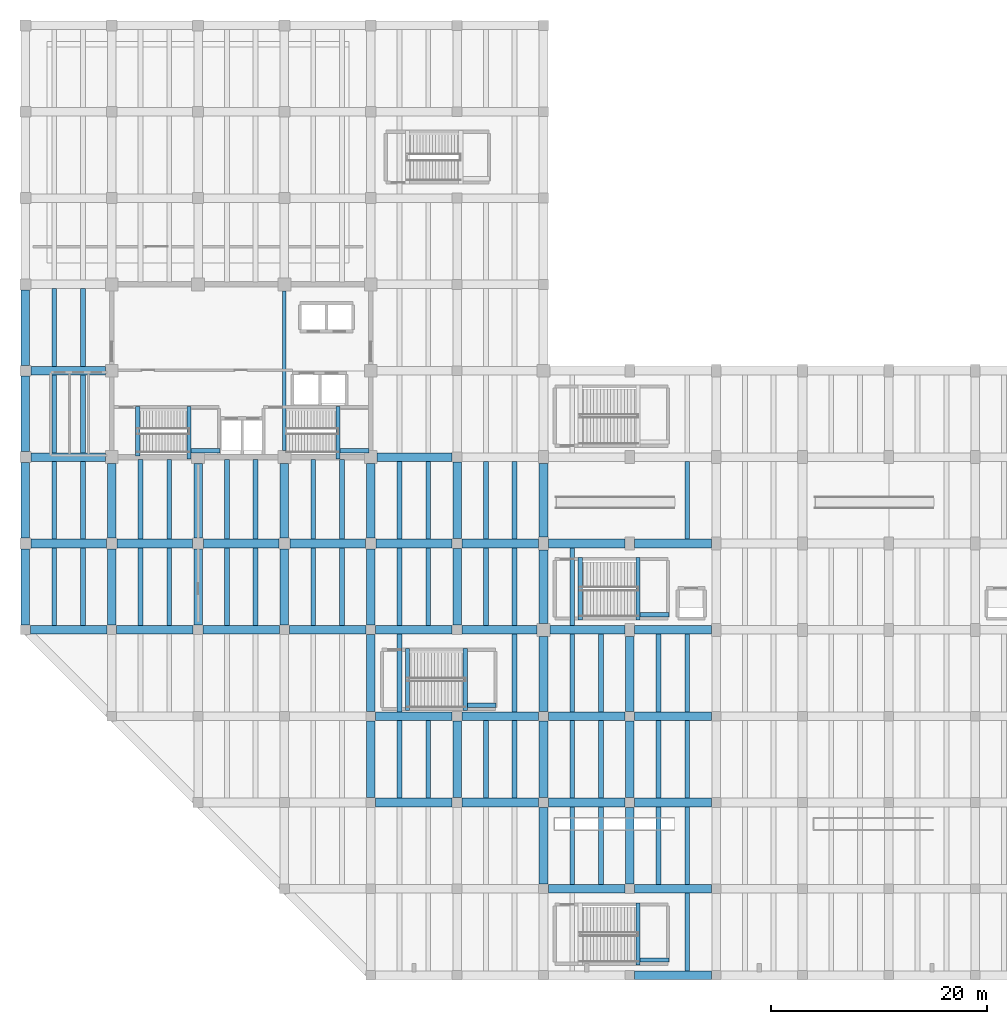
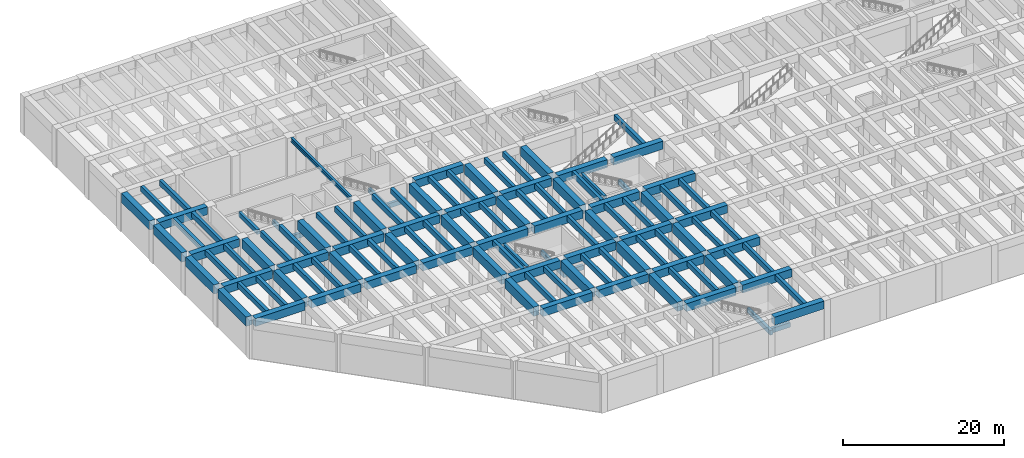
# One storey, part 2 of 24: 118 beams.
"""IFC4 building model written with IfcOpenShell, lengths in metres."""

from ifc_helpers import new_model, si_unit, direction, frame, origin, origin_2d, place, context, subcontext, project, spatial, rectangle, i_section, extrude, material, material_profile, profile_set, type_object, element, save


model = new_model("IFC4")

# Units and contexts
model_context = context("Model", 3, precision=1e-05, world=origin(), true_north=direction((0.0, 1.0)))
body_context = subcontext(model_context, "Body", "Model", "MODEL_VIEW")
ifc_project = project(units=[si_unit("LENGTHUNIT", "METRE"), si_unit("AREAUNIT", "SQUARE_METRE"), si_unit("VOLUMEUNIT", "CUBIC_METRE"), si_unit("PLANEANGLEUNIT", "RADIAN"), si_unit("MASSUNIT", "GRAM", prefix="KILO")], contexts=[model_context])

# Site, building, storey
site_placement = place(None, origin())
site = spatial("IfcSite", under=ifc_project, at=site_placement, CompositionType="ELEMENT")
building_placement = place(site_placement, origin())
building = spatial("IfcBuilding", under=site, at=building_placement, Name="Varnela Railside Interchange", CompositionType="ELEMENT")
storey_placement = place(building_placement, frame((0.0, 0.0, -6.300048828125)))
storey = spatial("IfcBuildingStorey", under=building, at=storey_placement, Name="B1", CompositionType="ELEMENT", Elevation=-6.300048828125)

# Beams
ifc_material_1 = material(Name="Concrete C50", Category="concrete")
ifc_material_profile_1 = material_profile(ifc_material_1, rectangle(XDim=0.800048828125, YDim=1.199951171875, at=origin_2d()), Name="RC 800x1200")
ifc_profile_set_1 = profile_set([ifc_material_profile_1], Name="Concrete C50")
beam_type_1 = type_object("IfcBeamType", Name="Bus Deck Heavy Girder B-09", PredefinedType="BEAM", material=ifc_profile_set_1)
for number, where, z_axis, x_axis, name in (
    (1, (60.449951171875, 6.0, 5.25), (1.0, 0.0, 0.0), (0.0, 1.0, 0.0), "Bus Deck Heavy Girder B-09 (B1) (BM-0666)"),
    (2, (52.449951171875, 14.0, 5.25), (1.0, 0.0, 0.0), (0.0, 1.0, 0.0), "Bus Deck Heavy Girder B-09 (B1) (BM-0679)"),
    (3, (60.449951171875, 14.0, 5.25), (1.0, 0.0, 0.0), (0.0, 1.0, 0.0), "Bus Deck Heavy Girder B-09 (B1) (BM-0680)"),
    (4, (36.449951171875, 22.0, 5.25), (1.0, 0.0, 0.0), (0.0, 1.0, 0.0), "Bus Deck Heavy Girder B-09 (B1) (BM-0693)"),
    (5, (44.449951171875, 22.0, 5.25), (1.0, 0.0, 0.0), (0.0, 1.0, 0.0), "Bus Deck Heavy Girder B-09 (B1) (BM-0694)"),
    (6, (52.449951171875, 22.0, 5.25), (1.0, 0.0, 0.0), (0.0, 1.0, 0.0), "Bus Deck Heavy Girder B-09 (B1) (BM-0695)"),
    (7, (60.449951171875, 22.0, 5.25), (1.0, 0.0, 0.0), (0.0, 1.0, 0.0), "Bus Deck Heavy Girder B-09 (B1) (BM-0696)"),
    (8, (36.449951171875, 30.0, 5.25), (1.0, 0.0, 0.0), (0.0, 1.0, 0.0), "Bus Deck Heavy Girder B-09 (B1) (BM-0711)"),
    (9, (44.449951171875, 30.0, 5.25), (1.0, 0.0, 0.0), (0.0, 1.0, 0.0), "Bus Deck Heavy Girder B-09 (B1) (BM-0712)"),
    (10, (52.449951171875, 30.0, 5.25), (1.0, 0.0, 0.0), (0.0, 1.0, 0.0), "Bus Deck Heavy Girder B-09 (B1) (BM-0713)"),
    (11, (60.449951171875, 30.0, 5.25), (1.0, 0.0, 0.0), (0.0, 1.0, 0.0), "Bus Deck Heavy Girder B-09 (B1) (BM-0714)"),
    (12, (4.449951171875, 38.0, 5.25), (1.0, 0.0, 0.0), (0.0, 1.0, 0.0), "Bus Deck Heavy Girder B-09 (B1) (BM-0732)"),
    (13, (12.449951171875, 38.0, 5.25), (1.0, 0.0, 0.0), (0.0, 1.0, 0.0), "Bus Deck Heavy Girder B-09 (B1) (BM-0723)"),
    (14, (20.449951171875, 38.0, 5.25), (1.0, 0.0, 0.0), (0.0, 1.0, 0.0), "Bus Deck Heavy Girder B-09 (B1) (BM-0728)"),
    (15, (28.449951171875, 38.0, 5.25), (1.0, 0.0, 0.0), (0.0, 1.0, 0.0), "Bus Deck Heavy Girder B-09 (B1) (BM-0729)"),
    (16, (36.449951171875, 38.0, 5.25), (1.0, 0.0, 0.0), (0.0, 1.0, 0.0), "Bus Deck Heavy Girder B-09 (B1) (BM-0730)"),
):
    element("IfcBeam", number, at=place(storey_placement, frame(where, z_axis=z_axis, x_axis=x_axis)), inside=storey, type_object=beam_type_1, Name=name, PredefinedType="BEAM", context=body_context, shape_type="SweptSolid", body=[
        extrude(rectangle(XDim=0.800048828125, YDim=1.199951171875, at=origin_2d()), origin(), (0.0, 0.0, 1.0), 7.10009765625),
    ])
for number, where, z_axis, x_axis, name in (
    (17, (44.449951171875, 38.0, 5.25), (1.0, 0.0, 0.0), (0.0, 1.0, 0.0), "Bus Deck Heavy Girder B-09 (B1) (BM-0731)"),
    (18, (52.60009765625, 38.0, 5.25), (1.0, 0.0, 0.0), (0.0, 1.0, 0.0), "Bus Deck Heavy Girder B-09 (B1) (BM-0733)"),
):
    element("IfcBeam", number, at=place(storey_placement, frame(where, z_axis=z_axis, x_axis=x_axis)), inside=storey, type_object=beam_type_1, Name=name, PredefinedType="BEAM", context=body_context, shape_type="SweptSolid", body=[
        extrude(rectangle(XDim=0.800048828125, YDim=1.199951171875, at=origin_2d()), origin(), (0.0, 0.0, 1.0), 6.949951171875),
    ])
beam_1_placement = place(storey_placement, frame((60.449951171875, 38.0, 5.25), z_axis=(1.0, 0.0, 0.0), x_axis=(0.0, 1.0, 0.0)))
element("IfcBeam", 19, at=beam_1_placement, inside=storey, type_object=beam_type_1, Name="Bus Deck Heavy Girder B-09 (B1) (BM-0734)", PredefinedType="BEAM", context=body_context, shape_type="SweptSolid", body=[
    extrude(rectangle(XDim=0.800048828125, YDim=1.199951171875, at=origin_2d()), origin(), (0.0, 0.0, 1.0), 7.10009765625),
])
for number, where, z_axis, x_axis, name in (
    (20, (4.5, 46.0, 5.25), (1.0, 0.0, 0.0), (0.0, 1.0, 0.0), "Bus Deck Heavy Girder B-09 (B1) (BM-0752)"),
    (21, (12.5, 46.0, 5.25), (1.0, 0.0, 0.0), (0.0, 1.0, 0.0), "Bus Deck Heavy Girder B-09 (B1) (BM-0743)"),
    (22, (20.5, 46.0, 5.25), (1.0, 0.0, 0.0), (0.0, 1.0, 0.0), "Bus Deck Heavy Girder B-09 (B1) (BM-0748)"),
    (23, (28.5, 46.0, 5.25), (1.0, 0.0, 0.0), (0.0, 1.0, 0.0), "Bus Deck Heavy Girder B-09 (B1) (BM-0749)"),
):
    element("IfcBeam", number, at=place(storey_placement, frame(where, z_axis=z_axis, x_axis=x_axis)), inside=storey, type_object=beam_type_1, Name=name, PredefinedType="BEAM", context=body_context, shape_type="SweptSolid", body=[
        extrude(rectangle(XDim=0.800048828125, YDim=1.199951171875, at=origin_2d()), origin(), (0.0, 0.0, 1.0), 7.0),
    ])
beam_2_placement = place(storey_placement, frame((36.5, 46.0, 5.25), z_axis=(1.0, 0.0, 0.0), x_axis=(0.0, 1.0, 0.0)))
element("IfcBeam", 24, at=beam_2_placement, inside=storey, type_object=beam_type_1, Name="Bus Deck Heavy Girder B-09 (B1) (BM-0750)", PredefinedType="BEAM", context=body_context, shape_type="SweptSolid", body=[
    extrude(rectangle(XDim=0.800048828125, YDim=1.199951171875, at=origin_2d()), origin(), (0.0, 0.0, 1.0), 7.050048828125),
])
for number, where, z_axis, x_axis, name in (
    (25, (44.449951171875, 46.0, 5.25), (1.0, 0.0, 0.0), (0.0, 1.0, 0.0), "Bus Deck Heavy Girder B-09 (B1) (BM-0751)"),
    (26, (52.449951171875, 46.0, 5.25), (1.0, 0.0, 0.0), (0.0, 1.0, 0.0), "Bus Deck Heavy Girder B-09 (B1) (BM-0753)"),
    (27, (60.449951171875, 46.0, 5.25), (1.0, 0.0, 0.0), (0.0, 1.0, 0.0), "Bus Deck Heavy Girder B-09 (B1) (BM-0754)"),
):
    element("IfcBeam", number, at=place(storey_placement, frame(where, z_axis=z_axis, x_axis=x_axis)), inside=storey, type_object=beam_type_1, Name=name, PredefinedType="BEAM", context=body_context, shape_type="SweptSolid", body=[
        extrude(rectangle(XDim=0.800048828125, YDim=1.199951171875, at=origin_2d()), origin(), (0.0, 0.0, 1.0), 7.10009765625),
    ])
beam_3_placement = place(storey_placement, frame((4.5, 54.0, 5.25), z_axis=(1.0, 0.0, 0.0), x_axis=(0.0, 1.0, 0.0)))
element("IfcBeam", 28, at=beam_3_placement, inside=storey, type_object=beam_type_1, Name="Bus Deck Heavy Girder B-09 (B1) (BM-0769)", PredefinedType="BEAM", context=body_context, shape_type="SweptSolid", body=[
    extrude(rectangle(XDim=0.800048828125, YDim=1.199951171875, at=origin_2d()), origin(), (0.0, 0.0, 1.0), 6.89990234375),
])
beam_4_placement = place(storey_placement, frame((36.60009765625, 54.0, 5.25), z_axis=(1.0, 0.0, 0.0), x_axis=(0.0, 1.0, 0.0)))
element("IfcBeam", 29, at=beam_4_placement, inside=storey, type_object=beam_type_1, Name="Bus Deck Heavy Girder B-09 (B1) (BM-0767)", PredefinedType="BEAM", context=body_context, shape_type="SweptSolid", body=[
    extrude(rectangle(XDim=0.800048828125, YDim=1.199951171875, at=origin_2d()), origin(), (0.0, 0.0, 1.0), 6.949951171875),
])
beam_5_placement = place(storey_placement, frame((4.5, 62.0, 5.25), z_axis=(1.0, 0.0, 0.0), x_axis=(0.0, 1.0, 0.0)))
element("IfcBeam", 30, at=beam_5_placement, inside=storey, type_object=beam_type_1, Name="Bus Deck Heavy Girder B-09 (B1) (BM-0786)", PredefinedType="BEAM", context=body_context, shape_type="SweptSolid", body=[
    extrude(rectangle(XDim=0.800048828125, YDim=1.199951171875, at=origin_2d()), origin(), (0.0, 0.0, 1.0), 6.89990234375),
])
ifc_material_profile_2 = material_profile(ifc_material_1, rectangle(XDim=0.800048828125, YDim=1.39990234375, at=origin_2d()), Name="RC 800x1400")
ifc_profile_set_2 = profile_set([ifc_material_profile_2], Name="Concrete C50")
beam_type_2 = type_object("IfcBeamType", Name="Bus Deck Portal Girder B-10", PredefinedType="BEAM", material=ifc_profile_set_2)
beam_6_placement = place(storey_placement, frame((4.0, 38.449951171875, 5.150146484375), z_axis=(0.0, 1.0, 0.0), x_axis=(-1.0, 0.0, 0.0)))
element("IfcBeam", 31, at=beam_6_placement, inside=storey, type_object=beam_type_2, Name="Bus Deck Portal Girder B-10 (B1) (BM-0901)", PredefinedType="BEAM", context=body_context, shape_type="SweptSolid", body=[
    extrude(rectangle(XDim=0.800048828125, YDim=1.39990234375, at=origin_2d()), origin(), (0.0, 0.0, 1.0), 7.050048828125),
])
for number, where, z_axis, x_axis, name in (
    (32, (4.0, 46.5, 5.150146484375), (0.0, 1.0, 0.0), (-1.0, 0.0, 0.0), "Bus Deck Portal Girder B-10 (B1) (BM-0902)"),
    (33, (4.0, 54.5, 5.150146484375), (0.0, 1.0, 0.0), (-1.0, 0.0, 0.0), "Bus Deck Portal Girder B-10 (B1) (BM-0903)"),
    (34, (4.0, 62.5, 5.150146484375), (0.0, 1.0, 0.0), (-1.0, 0.0, 0.0), "Bus Deck Portal Girder B-10 (B1) (BM-0904)"),
):
    element("IfcBeam", number, at=place(storey_placement, frame(where, z_axis=z_axis, x_axis=x_axis)), inside=storey, type_object=beam_type_2, Name=name, PredefinedType="BEAM", context=body_context, shape_type="SweptSolid", body=[
        extrude(rectangle(XDim=0.800048828125, YDim=1.39990234375, at=origin_2d()), origin(), (0.0, 0.0, 1.0), 7.0),
    ])
beam_7_placement = place(storey_placement, frame((12.0, 38.449951171875, 5.150146484375), z_axis=(0.0, 1.0, 0.0), x_axis=(-1.0, 0.0, 0.0)))
element("IfcBeam", 35, at=beam_7_placement, inside=storey, type_object=beam_type_2, Name="Bus Deck Portal Girder B-10 (B1) (BM-0915)", PredefinedType="BEAM", context=body_context, shape_type="SweptSolid", body=[
    extrude(rectangle(XDim=0.800048828125, YDim=1.39990234375, at=origin_2d()), origin(), (0.0, 0.0, 1.0), 7.050048828125),
])
beam_8_placement = place(storey_placement, frame((12.0, 46.5, 5.150146484375), z_axis=(0.0, 1.0, 0.0), x_axis=(-1.0, 0.0, 0.0)))
element("IfcBeam", 36, at=beam_8_placement, inside=storey, type_object=beam_type_2, Name="Bus Deck Portal Girder B-10 (B1) (BM-0916)", PredefinedType="BEAM", context=body_context, shape_type="SweptSolid", body=[
    extrude(rectangle(XDim=0.800048828125, YDim=1.39990234375, at=origin_2d()), origin(), (0.0, 0.0, 1.0), 6.89990234375),
])
beam_9_placement = place(storey_placement, frame((20.0, 38.449951171875, 5.150146484375), z_axis=(0.0, 1.0, 0.0), x_axis=(-1.0, 0.0, 0.0)))
element("IfcBeam", 37, at=beam_9_placement, inside=storey, type_object=beam_type_2, Name="Bus Deck Portal Girder B-10 (B1) (BM-0922)", PredefinedType="BEAM", context=body_context, shape_type="SweptSolid", body=[
    extrude(rectangle(XDim=0.800048828125, YDim=1.39990234375, at=origin_2d()), origin(), (0.0, 0.0, 1.0), 7.050048828125),
])
beam_10_placement = place(storey_placement, frame((20.0, 46.5, 5.150146484375), z_axis=(0.0, 1.0, 0.0), x_axis=(-1.0, 0.0, 0.0)))
element("IfcBeam", 38, at=beam_10_placement, inside=storey, type_object=beam_type_2, Name="Bus Deck Portal Girder B-10 (B1) (BM-0923)", PredefinedType="BEAM", context=body_context, shape_type="SweptSolid", body=[
    extrude(rectangle(XDim=0.800048828125, YDim=1.39990234375, at=origin_2d()), origin(), (0.0, 0.0, 1.0), 6.89990234375),
])
beam_11_placement = place(storey_placement, frame((28.0, 38.449951171875, 5.150146484375), z_axis=(0.0, 1.0, 0.0), x_axis=(-1.0, 0.0, 0.0)))
element("IfcBeam", 39, at=beam_11_placement, inside=storey, type_object=beam_type_2, Name="Bus Deck Portal Girder B-10 (B1) (BM-0930)", PredefinedType="BEAM", context=body_context, shape_type="SweptSolid", body=[
    extrude(rectangle(XDim=0.800048828125, YDim=1.39990234375, at=origin_2d()), origin(), (0.0, 0.0, 1.0), 7.050048828125),
])
beam_12_placement = place(storey_placement, frame((28.0, 46.5, 5.150146484375), z_axis=(0.0, 1.0, 0.0), x_axis=(-1.0, 0.0, 0.0)))
element("IfcBeam", 40, at=beam_12_placement, inside=storey, type_object=beam_type_2, Name="Bus Deck Portal Girder B-10 (B1) (BM-0931)", PredefinedType="BEAM", context=body_context, shape_type="SweptSolid", body=[
    extrude(rectangle(XDim=0.800048828125, YDim=1.39990234375, at=origin_2d()), origin(), (0.0, 0.0, 1.0), 6.89990234375),
])
for number, where, z_axis, x_axis, name in (
    (41, (36.0, 22.449951171875, 5.150146484375), (0.0, 1.0, 0.0), (-1.0, 0.0, 0.0), "Bus Deck Portal Girder B-10 (B1) (BM-0937)"),
    (42, (36.0, 30.449951171875, 5.150146484375), (0.0, 1.0, 0.0), (-1.0, 0.0, 0.0), "Bus Deck Portal Girder B-10 (B1) (BM-0938)"),
):
    element("IfcBeam", number, at=place(storey_placement, frame(where, z_axis=z_axis, x_axis=x_axis)), inside=storey, type_object=beam_type_2, Name=name, PredefinedType="BEAM", context=body_context, shape_type="SweptSolid", body=[
        extrude(rectangle(XDim=0.800048828125, YDim=1.39990234375, at=origin_2d()), origin(), (0.0, 0.0, 1.0), 7.10009765625),
    ])
beam_13_placement = place(storey_placement, frame((36.0, 38.449951171875, 5.150146484375), z_axis=(0.0, 1.0, 0.0), x_axis=(-1.0, 0.0, 0.0)))
element("IfcBeam", 43, at=beam_13_placement, inside=storey, type_object=beam_type_2, Name="Bus Deck Portal Girder B-10 (B1) (BM-0939)", PredefinedType="BEAM", context=body_context, shape_type="SweptSolid", body=[
    extrude(rectangle(XDim=0.800048828125, YDim=1.39990234375, at=origin_2d()), origin(), (0.0, 0.0, 1.0), 7.050048828125),
])
beam_14_placement = place(storey_placement, frame((36.0, 46.5, 5.150146484375), z_axis=(0.0, 1.0, 0.0), x_axis=(-1.0, 0.0, 0.0)))
element("IfcBeam", 44, at=beam_14_placement, inside=storey, type_object=beam_type_2, Name="Bus Deck Portal Girder B-10 (B1) (BM-0940)", PredefinedType="BEAM", context=body_context, shape_type="SweptSolid", body=[
    extrude(rectangle(XDim=0.800048828125, YDim=1.39990234375, at=origin_2d()), origin(), (0.0, 0.0, 1.0), 6.89990234375),
])
for number, where, z_axis, x_axis, name in (
    (45, (44.0, 22.449951171875, 5.150146484375), (0.0, 1.0, 0.0), (-1.0, 0.0, 0.0), "Bus Deck Portal Girder B-10 (B1) (BM-0946)"),
    (46, (44.0, 38.449951171875, 5.150146484375), (0.0, 1.0, 0.0), (-1.0, 0.0, 0.0), "Bus Deck Portal Girder B-10 (B1) (BM-0947)"),
    (47, (44.0, 46.449951171875, 5.150146484375), (0.0, 1.0, 0.0), (-1.0, 0.0, 0.0), "Bus Deck Portal Girder B-10 (B1) (BM-0948)"),
    (48, (52.0, 14.449951171875, 5.150146484375), (0.0, 1.0, 0.0), (-1.0, 0.0, 0.0), "Bus Deck Portal Girder B-10 (B1) (BM-0954)"),
    (49, (52.0, 22.449951171875, 5.150146484375), (0.0, 1.0, 0.0), (-1.0, 0.0, 0.0), "Bus Deck Portal Girder B-10 (B1) (BM-0955)"),
):
    element("IfcBeam", number, at=place(storey_placement, frame(where, z_axis=z_axis, x_axis=x_axis)), inside=storey, type_object=beam_type_2, Name=name, PredefinedType="BEAM", context=body_context, shape_type="SweptSolid", body=[
        extrude(rectangle(XDim=0.800048828125, YDim=1.39990234375, at=origin_2d()), origin(), (0.0, 0.0, 1.0), 7.10009765625),
    ])
beam_15_placement = place(storey_placement, frame((52.0, 30.449951171875, 5.150146484375), z_axis=(0.0, 1.0, 0.0), x_axis=(-1.0, 0.0, 0.0)))
element("IfcBeam", 50, at=beam_15_placement, inside=storey, type_object=beam_type_2, Name="Bus Deck Portal Girder B-10 (B1) (BM-0956)", PredefinedType="BEAM", context=body_context, shape_type="SweptSolid", body=[
    extrude(rectangle(XDim=0.800048828125, YDim=1.39990234375, at=origin_2d()), origin(), (0.0, 0.0, 1.0), 6.949951171875),
])
for number, where, z_axis, x_axis, name in (
    (51, (52.0, 38.60009765625, 5.150146484375), (0.0, 1.0, 0.0), (-1.0, 0.0, 0.0), "Bus Deck Portal Girder B-10 (B1) (BM-0957)"),
    (52, (52.0, 46.60009765625, 5.150146484375), (0.0, 1.0, 0.0), (-1.0, 0.0, 0.0), "Bus Deck Portal Girder B-10 (B1) (BM-0958)"),
):
    element("IfcBeam", number, at=place(storey_placement, frame(where, z_axis=z_axis, x_axis=x_axis)), inside=storey, type_object=beam_type_2, Name=name, PredefinedType="BEAM", context=body_context, shape_type="SweptSolid", body=[
        extrude(rectangle(XDim=0.800048828125, YDim=1.39990234375, at=origin_2d()), origin(), (0.0, 0.0, 1.0), 6.7998046875),
    ])
for number, where, z_axis, x_axis, name in (
    (53, (60.0, 14.449951171875, 5.150146484375), (0.0, 1.0, 0.0), (-1.0, 0.0, 0.0), "Bus Deck Portal Girder B-10 (B1) (BM-0965)"),
    (54, (60.0, 22.449951171875, 5.150146484375), (0.0, 1.0, 0.0), (-1.0, 0.0, 0.0), "Bus Deck Portal Girder B-10 (B1) (BM-0966)"),
):
    element("IfcBeam", number, at=place(storey_placement, frame(where, z_axis=z_axis, x_axis=x_axis)), inside=storey, type_object=beam_type_2, Name=name, PredefinedType="BEAM", context=body_context, shape_type="SweptSolid", body=[
        extrude(rectangle(XDim=0.800048828125, YDim=1.39990234375, at=origin_2d()), origin(), (0.0, 0.0, 1.0), 7.10009765625),
    ])
beam_16_placement = place(storey_placement, frame((60.0, 30.449951171875, 5.150146484375), z_axis=(0.0, 1.0, 0.0), x_axis=(-1.0, 0.0, 0.0)))
element("IfcBeam", 55, at=beam_16_placement, inside=storey, type_object=beam_type_2, Name="Bus Deck Portal Girder B-10 (B1) (BM-0967)", PredefinedType="BEAM", context=body_context, shape_type="SweptSolid", body=[
    extrude(rectangle(XDim=0.800048828125, YDim=1.39990234375, at=origin_2d()), origin(), (0.0, 0.0, 1.0), 6.949951171875),
])
ifc_material_2 = material(Name="Concrete C40", Category="concrete")
ifc_material_profile_3 = material_profile(ifc_material_2, rectangle(XDim=0.449951171875, YDim=0.800048828125, at=origin_2d()), Name="RC 450x800")
ifc_profile_set_3 = profile_set([ifc_material_profile_3], Name="Concrete C40")
beam_type_3 = type_object("IfcBeamType", Name="Concrete Secondary Beam B-02", PredefinedType="BEAM", material=ifc_profile_set_3)
for number, where, z_axis, x_axis, name in (
    (56, (6.669921875, 38.39990234375, 5.449951171875), (0.0, 1.0, 0.0), (-1.0, 0.0, 0.0), "Concrete Secondary Beam B-02 (B1) (BM-0397)"),
    (57, (9.330078125, 38.39990234375, 5.449951171875), (0.0, 1.0, 0.0), (-1.0, 0.0, 0.0), "Concrete Secondary Beam B-02 (B1) (BM-0398)"),
    (58, (6.669921875, 46.39990234375, 5.449951171875), (0.0, 1.0, 0.0), (-1.0, 0.0, 0.0), "Concrete Secondary Beam B-02 (B1) (BM-0399)"),
    (59, (9.330078125, 46.39990234375, 5.449951171875), (0.0, 1.0, 0.0), (-1.0, 0.0, 0.0), "Concrete Secondary Beam B-02 (B1) (BM-0400)"),
    (60, (6.669921875, 54.39990234375, 5.449951171875), (0.0, 1.0, 0.0), (-1.0, 0.0, 0.0), "Concrete Secondary Beam B-02 (B1) (BM-0401)"),
    (61, (9.330078125, 54.39990234375, 5.449951171875), (0.0, 1.0, 0.0), (-1.0, 0.0, 0.0), "Concrete Secondary Beam B-02 (B1) (BM-0402)"),
    (62, (6.669921875, 62.39990234375, 5.449951171875), (0.0, 1.0, 0.0), (-1.0, 0.0, 0.0), "Concrete Secondary Beam B-02 (B1) (BM-0403)"),
    (63, (9.330078125, 62.39990234375, 5.449951171875), (0.0, 1.0, 0.0), (-1.0, 0.0, 0.0), "Concrete Secondary Beam B-02 (B1) (BM-0404)"),
    (64, (14.669921875, 38.39990234375, 5.449951171875), (0.0, 1.0, 0.0), (-1.0, 0.0, 0.0), "Concrete Secondary Beam B-02 (B1) (BM-0537)"),
    (65, (17.330078125, 38.39990234375, 5.449951171875), (0.0, 1.0, 0.0), (-1.0, 0.0, 0.0), "Concrete Secondary Beam B-02 (B1) (BM-0538)"),
):
    element("IfcBeam", number, at=place(storey_placement, frame(where, z_axis=z_axis, x_axis=x_axis)), inside=storey, type_object=beam_type_3, Name=name, PredefinedType="BEAM", context=body_context, shape_type="SweptSolid", body=[
        extrude(rectangle(XDim=0.449951171875, YDim=0.800048828125, at=origin_2d()), origin(), (0.0, 0.0, 1.0), 7.2001953125),
    ])
for number, where, z_axis, x_axis, name in (
    (66, (14.669921875, 46.39990234375, 5.449951171875), (0.0, 1.0, 0.0), (-1.0, 0.0, 0.0), "Concrete Secondary Beam B-02 (B1) (BM-0539)"),
    (67, (17.330078125, 46.39990234375, 5.449951171875), (0.0, 1.0, 0.0), (-1.0, 0.0, 0.0), "Concrete Secondary Beam B-02 (B1) (BM-0540)"),
):
    element("IfcBeam", number, at=place(storey_placement, frame(where, z_axis=z_axis, x_axis=x_axis)), inside=storey, type_object=beam_type_3, Name=name, PredefinedType="BEAM", context=body_context, shape_type="SweptSolid", body=[
        extrude(rectangle(XDim=0.449951171875, YDim=0.800048828125, at=origin_2d()), origin(), (0.0, 0.0, 1.0), 7.360107421875),
    ])
for number, where, z_axis, x_axis, name in (
    (68, (22.669921875, 38.39990234375, 5.449951171875), (0.0, 1.0, 0.0), (-1.0, 0.0, 0.0), "Concrete Secondary Beam B-02 (B1) (BM-0551)"),
    (69, (25.330078125, 38.39990234375, 5.449951171875), (0.0, 1.0, 0.0), (-1.0, 0.0, 0.0), "Concrete Secondary Beam B-02 (B1) (BM-0552)"),
):
    element("IfcBeam", number, at=place(storey_placement, frame(where, z_axis=z_axis, x_axis=x_axis)), inside=storey, type_object=beam_type_3, Name=name, PredefinedType="BEAM", context=body_context, shape_type="SweptSolid", body=[
        extrude(rectangle(XDim=0.449951171875, YDim=0.800048828125, at=origin_2d()), origin(), (0.0, 0.0, 1.0), 7.2001953125),
    ])
for number, where, z_axis, x_axis, name in (
    (70, (22.669921875, 46.39990234375, 5.449951171875), (0.0, 1.0, 0.0), (-1.0, 0.0, 0.0), "Concrete Secondary Beam B-02 (B1) (BM-0553)"),
    (71, (25.330078125, 46.39990234375, 5.449951171875), (0.0, 1.0, 0.0), (-1.0, 0.0, 0.0), "Concrete Secondary Beam B-02 (B1) (BM-0554)"),
):
    element("IfcBeam", number, at=place(storey_placement, frame(where, z_axis=z_axis, x_axis=x_axis)), inside=storey, type_object=beam_type_3, Name=name, PredefinedType="BEAM", context=body_context, shape_type="SweptSolid", body=[
        extrude(rectangle(XDim=0.449951171875, YDim=0.800048828125, at=origin_2d()), origin(), (0.0, 0.0, 1.0), 7.360107421875),
    ])
for number, where, z_axis, x_axis, name in (
    (72, (30.669921875, 38.39990234375, 5.449951171875), (0.0, 1.0, 0.0), (-1.0, 0.0, 0.0), "Concrete Secondary Beam B-02 (B1) (BM-0567)"),
    (73, (33.330078125, 38.39990234375, 5.449951171875), (0.0, 1.0, 0.0), (-1.0, 0.0, 0.0), "Concrete Secondary Beam B-02 (B1) (BM-0568)"),
):
    element("IfcBeam", number, at=place(storey_placement, frame(where, z_axis=z_axis, x_axis=x_axis)), inside=storey, type_object=beam_type_3, Name=name, PredefinedType="BEAM", context=body_context, shape_type="SweptSolid", body=[
        extrude(rectangle(XDim=0.449951171875, YDim=0.800048828125, at=origin_2d()), origin(), (0.0, 0.0, 1.0), 7.2001953125),
    ])
for number, where, z_axis, x_axis, name in (
    (74, (30.669921875, 46.39990234375, 5.449951171875), (0.0, 1.0, 0.0), (-1.0, 0.0, 0.0), "Concrete Secondary Beam B-02 (B1) (BM-0569)"),
    (75, (33.330078125, 46.39990234375, 5.449951171875), (0.0, 1.0, 0.0), (-1.0, 0.0, 0.0), "Concrete Secondary Beam B-02 (B1) (BM-0570)"),
):
    element("IfcBeam", number, at=place(storey_placement, frame(where, z_axis=z_axis, x_axis=x_axis)), inside=storey, type_object=beam_type_3, Name=name, PredefinedType="BEAM", context=body_context, shape_type="SweptSolid", body=[
        extrude(rectangle(XDim=0.449951171875, YDim=0.800048828125, at=origin_2d()), origin(), (0.0, 0.0, 1.0), 7.360107421875),
    ])
for number, where, z_axis, x_axis, name in (
    (76, (38.669921875, 22.39990234375, 5.449951171875), (0.0, 1.0, 0.0), (-1.0, 0.0, 0.0), "Concrete Secondary Beam B-02 (B1) (BM-0581)"),
    (77, (41.330078125, 22.39990234375, 5.449951171875), (0.0, 1.0, 0.0), (-1.0, 0.0, 0.0), "Concrete Secondary Beam B-02 (B1) (BM-0582)"),
    (78, (38.669921875, 30.39990234375, 5.449951171875), (0.0, 1.0, 0.0), (-1.0, 0.0, 0.0), "Concrete Secondary Beam B-02 (B1) (BM-0583)"),
    (79, (38.669921875, 38.39990234375, 5.449951171875), (0.0, 1.0, 0.0), (-1.0, 0.0, 0.0), "Concrete Secondary Beam B-02 (B1) (BM-0584)"),
    (80, (41.330078125, 38.39990234375, 5.449951171875), (0.0, 1.0, 0.0), (-1.0, 0.0, 0.0), "Concrete Secondary Beam B-02 (B1) (BM-0585)"),
    (81, (38.669921875, 46.39990234375, 5.449951171875), (0.0, 1.0, 0.0), (-1.0, 0.0, 0.0), "Concrete Secondary Beam B-02 (B1) (BM-0586)"),
    (82, (41.330078125, 46.39990234375, 5.449951171875), (0.0, 1.0, 0.0), (-1.0, 0.0, 0.0), "Concrete Secondary Beam B-02 (B1) (BM-0587)"),
    (83, (46.669921875, 22.39990234375, 5.449951171875), (0.0, 1.0, 0.0), (-1.0, 0.0, 0.0), "Concrete Secondary Beam B-02 (B1) (BM-0601)"),
    (84, (49.330078125, 22.39990234375, 5.449951171875), (0.0, 1.0, 0.0), (-1.0, 0.0, 0.0), "Concrete Secondary Beam B-02 (B1) (BM-0602)"),
    (85, (49.330078125, 30.39990234375, 5.449951171875), (0.0, 1.0, 0.0), (-1.0, 0.0, 0.0), "Concrete Secondary Beam B-02 (B1) (BM-0603)"),
    (86, (46.669921875, 38.39990234375, 5.449951171875), (0.0, 1.0, 0.0), (-1.0, 0.0, 0.0), "Concrete Secondary Beam B-02 (B1) (BM-0604)"),
    (87, (49.330078125, 38.39990234375, 5.449951171875), (0.0, 1.0, 0.0), (-1.0, 0.0, 0.0), "Concrete Secondary Beam B-02 (B1) (BM-0605)"),
    (88, (46.669921875, 46.39990234375, 5.449951171875), (0.0, 1.0, 0.0), (-1.0, 0.0, 0.0), "Concrete Secondary Beam B-02 (B1) (BM-0606)"),
    (89, (49.330078125, 46.39990234375, 5.449951171875), (0.0, 1.0, 0.0), (-1.0, 0.0, 0.0), "Concrete Secondary Beam B-02 (B1) (BM-0607)"),
    (90, (54.669921875, 14.39990234375, 5.449951171875), (0.0, 1.0, 0.0), (-1.0, 0.0, 0.0), "Concrete Secondary Beam B-02 (B1) (BM-0616)"),
    (91, (57.330078125, 14.39990234375, 5.449951171875), (0.0, 1.0, 0.0), (-1.0, 0.0, 0.0), "Concrete Secondary Beam B-02 (B1) (BM-0617)"),
    (92, (54.669921875, 22.39990234375, 5.449951171875), (0.0, 1.0, 0.0), (-1.0, 0.0, 0.0), "Concrete Secondary Beam B-02 (B1) (BM-0618)"),
    (93, (57.330078125, 22.39990234375, 5.449951171875), (0.0, 1.0, 0.0), (-1.0, 0.0, 0.0), "Concrete Secondary Beam B-02 (B1) (BM-0619)"),
    (94, (54.669921875, 30.39990234375, 5.449951171875), (0.0, 1.0, 0.0), (-1.0, 0.0, 0.0), "Concrete Secondary Beam B-02 (B1) (BM-0620)"),
    (95, (57.330078125, 30.39990234375, 5.449951171875), (0.0, 1.0, 0.0), (-1.0, 0.0, 0.0), "Concrete Secondary Beam B-02 (B1) (BM-0621)"),
    (96, (54.669921875, 38.39990234375, 5.449951171875), (0.0, 1.0, 0.0), (-1.0, 0.0, 0.0), "Concrete Secondary Beam B-02 (B1) (BM-0622)"),
    (97, (65.330078125, 6.39990234375, 5.449951171875), (0.0, 1.0, 0.0), (-1.0, 0.0, 0.0), "Concrete Secondary Beam B-02 (B1) (BM-0624)"),
    (98, (62.669921875, 14.39990234375, 5.449951171875), (0.0, 1.0, 0.0), (-1.0, 0.0, 0.0), "Concrete Secondary Beam B-02 (B1) (BM-0625)"),
    (99, (65.330078125, 14.39990234375, 5.449951171875), (0.0, 1.0, 0.0), (-1.0, 0.0, 0.0), "Concrete Secondary Beam B-02 (B1) (BM-0626)"),
    (100, (62.669921875, 22.39990234375, 5.449951171875), (0.0, 1.0, 0.0), (-1.0, 0.0, 0.0), "Concrete Secondary Beam B-02 (B1) (BM-0627)"),
    (101, (65.330078125, 22.39990234375, 5.449951171875), (0.0, 1.0, 0.0), (-1.0, 0.0, 0.0), "Concrete Secondary Beam B-02 (B1) (BM-0628)"),
    (102, (62.669921875, 30.39990234375, 5.449951171875), (0.0, 1.0, 0.0), (-1.0, 0.0, 0.0), "Concrete Secondary Beam B-02 (B1) (BM-0629)"),
    (103, (65.330078125, 30.39990234375, 5.449951171875), (0.0, 1.0, 0.0), (-1.0, 0.0, 0.0), "Concrete Secondary Beam B-02 (B1) (BM-0630)"),
    (104, (65.330078125, 46.39990234375, 5.449951171875), (0.0, 1.0, 0.0), (-1.0, 0.0, 0.0), "Concrete Secondary Beam B-02 (B1) (BM-0631)"),
):
    element("IfcBeam", number, at=place(storey_placement, frame(where, z_axis=z_axis, x_axis=x_axis)), inside=storey, type_object=beam_type_3, Name=name, PredefinedType="BEAM", context=body_context, shape_type="SweptSolid", body=[
        extrude(rectangle(XDim=0.449951171875, YDim=0.800048828125, at=origin_2d()), origin(), (0.0, 0.0, 1.0), 7.2001953125),
    ])
ifc_material_profile_4 = material_profile(ifc_material_2, rectangle(XDim=0.39990234375, YDim=0.699951171875, at=origin_2d()), Name="RC 400x700")
ifc_profile_set_4 = profile_set([ifc_material_profile_4], Name="Concrete C40")
beam_type_4 = type_object("IfcBeamType", Name="Concrete Tie Beam B-01", PredefinedType="BEAM", material=ifc_profile_set_4)
beam_17_placement = place(storey_placement, frame((14.39990234375, 54.1201171875, 5.5), z_axis=(0.0, 1.0, 0.0), x_axis=(-1.0, 0.0, 0.0)))
element("IfcBeam", 105, at=beam_17_placement, inside=storey, type_object=beam_type_4, Name="Concrete Tie Beam B-01 (B1) (BM-1022)", PredefinedType="BEAM", context=body_context, shape_type="SweptSolid", body=[
    extrude(rectangle(XDim=0.39990234375, YDim=0.699951171875, at=origin_2d()), origin(), (0.0, 0.0, 1.0), 4.559814453125),
])
beam_18_placement = place(storey_placement, frame((19.159912109375, 53.820068359375, 2.64013671875), z_axis=(0.0, 1.0, 0.0), x_axis=(-1.0, 0.0, 0.0)))
element("IfcBeam", 106, at=beam_18_placement, inside=storey, type_object=beam_type_4, Name="Concrete Tie Beam B-01 (B1) (BM-1008)", PredefinedType="BEAM", context=body_context, shape_type="SweptSolid", body=[
    extrude(rectangle(XDim=0.39990234375, YDim=0.699951171875, at=origin_2d()), origin(), (0.0, 0.0, 1.0), 4.85986328125),
])
beam_19_placement = place(storey_placement, frame((19.360107421875, 54.60009765625, 2.64013671875), z_axis=(1.0, 0.0, 0.0), x_axis=(0.0, 1.0, 0.0)))
element("IfcBeam", 107, at=beam_19_placement, inside=storey, type_object=beam_type_4, Name="Concrete Tie Beam B-01 (B1) (BM-0994)", PredefinedType="BEAM", context=body_context, shape_type="SweptSolid", body=[
    extrude(rectangle(XDim=0.39990234375, YDim=0.699951171875, at=origin_2d()), origin(), (0.0, 0.0, 1.0), 2.659912109375),
])
beam_20_placement = place(storey_placement, frame((32.9599609375, 53.820068359375, 2.64013671875), z_axis=(0.0, 1.0, 0.0), x_axis=(-1.0, 0.0, 0.0)))
element("IfcBeam", 108, at=beam_20_placement, inside=storey, type_object=beam_type_4, Name="Concrete Tie Beam B-01 (B1) (BM-1009)", PredefinedType="BEAM", context=body_context, shape_type="SweptSolid", body=[
    extrude(rectangle(XDim=0.39990234375, YDim=0.699951171875, at=origin_2d()), origin(), (0.0, 0.0, 1.0), 4.85986328125),
])
beam_21_placement = place(storey_placement, frame((33.159912109375, 54.60009765625, 2.64013671875), z_axis=(1.0, 0.0, 0.0), x_axis=(0.0, 1.0, 0.0)))
element("IfcBeam", 109, at=beam_21_placement, inside=storey, type_object=beam_type_4, Name="Concrete Tie Beam B-01 (B1) (BM-0995)", PredefinedType="BEAM", context=body_context, shape_type="SweptSolid", body=[
    extrude(rectangle(XDim=0.39990234375, YDim=0.699951171875, at=origin_2d()), origin(), (0.0, 0.0, 1.0), 2.66015625),
])
for number, where, z_axis, x_axis, name in (
    (110, (55.39990234375, 38.919921875, 5.5), (0.0, 1.0, 0.0), (-1.0, 0.0, 0.0), "Concrete Tie Beam B-01 (B1) (BM-1011)"),
    (111, (60.7548828125, 38.919921875, 2.64013671875), (0.0, 1.0, 0.0), (-1.0, 0.0, 0.0), "Concrete Tie Beam B-01 (B1) (BM-0997)"),
):
    element("IfcBeam", number, at=place(storey_placement, frame(where, z_axis=z_axis, x_axis=x_axis)), inside=storey, type_object=beam_type_4, Name=name, PredefinedType="BEAM", context=body_context, shape_type="SweptSolid", body=[
        extrude(rectangle(XDim=0.39990234375, YDim=0.699951171875, at=origin_2d()), origin(), (0.0, 0.0, 1.0), 5.760009765625),
    ])
beam_22_placement = place(storey_placement, frame((60.955078125, 39.39990234375, 2.64013671875), z_axis=(1.0, 0.0, 0.0), x_axis=(0.0, 1.0, 0.0)))
element("IfcBeam", 112, at=beam_22_placement, inside=storey, type_object=beam_type_4, Name="Concrete Tie Beam B-01 (B1) (BM-0983)", PredefinedType="BEAM", context=body_context, shape_type="SweptSolid", body=[
    extrude(rectangle(XDim=0.39990234375, YDim=0.699951171875, at=origin_2d()), origin(), (0.0, 0.0, 1.0), 2.6650390625),
])
for number, where, z_axis, x_axis, name in (
    (113, (39.39990234375, 30.52001953125, 5.5), (0.0, 1.0, 0.0), (-1.0, 0.0, 0.0), "Concrete Tie Beam B-01 (B1) (BM-1018)"),
    (114, (44.7548828125, 30.52001953125, 2.64013671875), (0.0, 1.0, 0.0), (-1.0, 0.0, 0.0), "Concrete Tie Beam B-01 (B1) (BM-1004)"),
):
    element("IfcBeam", number, at=place(storey_placement, frame(where, z_axis=z_axis, x_axis=x_axis)), inside=storey, type_object=beam_type_4, Name=name, PredefinedType="BEAM", context=body_context, shape_type="SweptSolid", body=[
        extrude(rectangle(XDim=0.39990234375, YDim=0.699951171875, at=origin_2d()), origin(), (0.0, 0.0, 1.0), 5.760009765625),
    ])
beam_23_placement = place(storey_placement, frame((44.955078125, 31.0, 2.64013671875), z_axis=(1.0, 0.0, 0.0), x_axis=(0.0, 1.0, 0.0)))
element("IfcBeam", 115, at=beam_23_placement, inside=storey, type_object=beam_type_4, Name="Concrete Tie Beam B-01 (B1) (BM-0990)", PredefinedType="BEAM", context=body_context, shape_type="SweptSolid", body=[
    extrude(rectangle(XDim=0.39990234375, YDim=0.699951171875, at=origin_2d()), origin(), (0.0, 0.0, 1.0), 2.6650390625),
])
beam_24_placement = place(storey_placement, frame((60.7548828125, 6.919921875, 2.64013671875), z_axis=(0.0, 1.0, 0.0), x_axis=(-1.0, 0.0, 0.0)))
element("IfcBeam", 116, at=beam_24_placement, inside=storey, type_object=beam_type_4, Name="Concrete Tie Beam B-01 (B1) (BM-1006)", PredefinedType="BEAM", context=body_context, shape_type="SweptSolid", body=[
    extrude(rectangle(XDim=0.39990234375, YDim=0.699951171875, at=origin_2d()), origin(), (0.0, 0.0, 1.0), 5.760009765625),
])
beam_25_placement = place(storey_placement, frame((60.955078125, 7.39990234375, 2.64013671875), z_axis=(1.0, 0.0, 0.0), x_axis=(0.0, 1.0, 0.0)))
element("IfcBeam", 117, at=beam_25_placement, inside=storey, type_object=beam_type_4, Name="Concrete Tie Beam B-01 (B1) (BM-0992)", PredefinedType="BEAM", context=body_context, shape_type="SweptSolid", body=[
    extrude(rectangle(XDim=0.39990234375, YDim=0.699951171875, at=origin_2d()), origin(), (0.0, 0.0, 1.0), 2.6650390625),
])
ifc_material_3 = material(Name="Steel AR 350 (350 MPa)", Category="steel")
ifc_material_profile_5 = material_profile(ifc_material_3, i_section(OverallWidth=0.327880859375, OverallDepth=0.6279296875, WebThickness=0.0166015625, FlangeThickness=0.027587890625, at=origin_2d()), Name="W610x217")
ifc_profile_set_5 = profile_set([ifc_material_profile_5], Name="Steel AR 350 (350 MPa)")
beam_type_5 = type_object("IfcBeamType", Name="Transfer Tie Steel Girder B-12", PredefinedType="BEAM", material=ifc_profile_set_5)
beam_26_placement = place(storey_placement, frame((28.0, 54.60009765625, 5.5361328125), z_axis=(0.0, 1.0, 0.0), x_axis=(-1.0, 0.0, 0.0)))
element("IfcBeam", 118, at=beam_26_placement, inside=storey, type_object=beam_type_5, Name="Transfer Tie Steel Girder B-12 (B1) (BM-0932)", PredefinedType="BEAM", context=body_context, shape_type="SweptSolid", body=[
    extrude(i_section(OverallWidth=0.327880859375, OverallDepth=0.6279296875, WebThickness=0.0166015625, FlangeThickness=0.027587890625, at=origin_2d()), origin(), (0.0, 0.0, 1.0), 14.7998046875),
])

save(model, "model.ifc")
